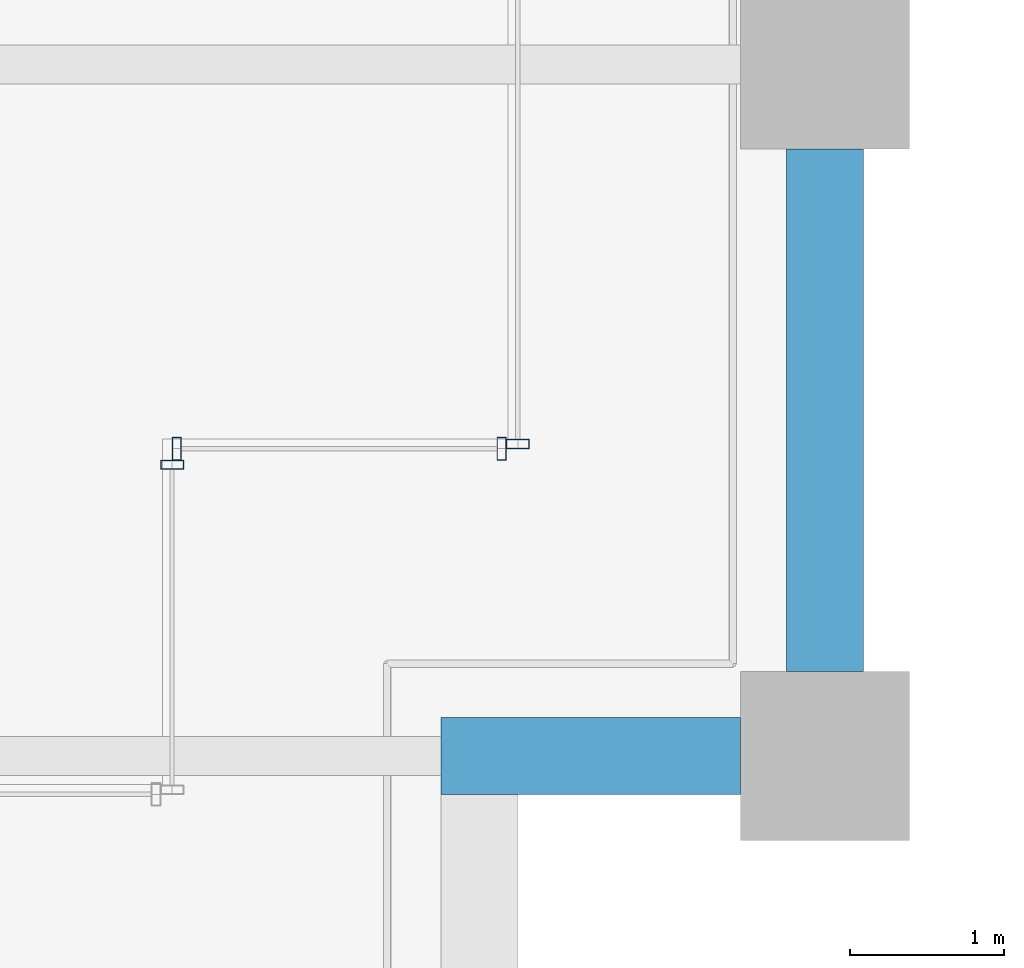
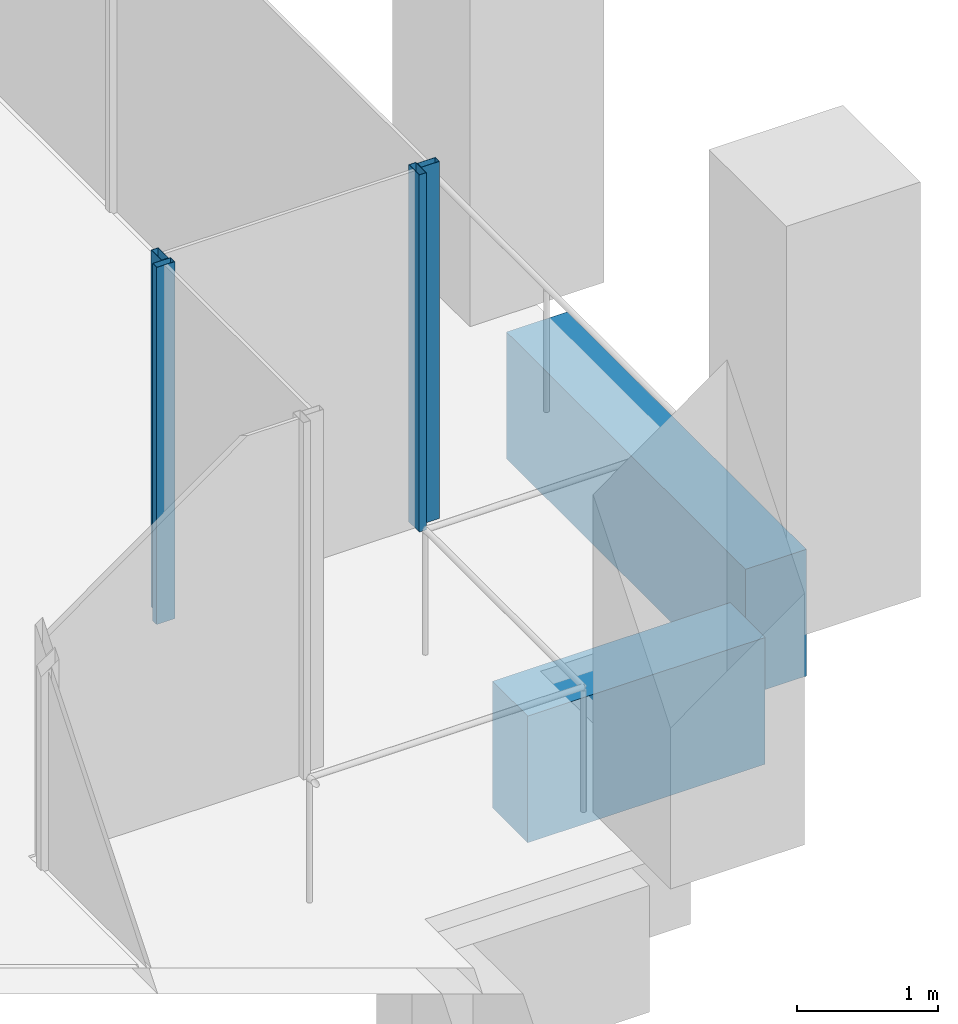
# One storey, part 16 of 54: 4 members, 2 beams, 3 elements without a shape of their own.
"""IFC4 building model written with IfcOpenShell, lengths in metres."""

from ifc_helpers import new_model, si_unit, direction, frame, origin, origin_2d, place, context, subcontext, project, spatial, rectangle, hollow_rectangle, extrude, material, material_profile, profile_set, type_object, element, aggregate, save


model = new_model("IFC4")

# Units and contexts
model_context = context("Model", 3, precision=1e-05, world=origin(), true_north=direction((0.0, 1.0)))
body_context = subcontext(model_context, "Body", "Model", "MODEL_VIEW")
ifc_project = project(units=[si_unit("LENGTHUNIT", "METRE"), si_unit("AREAUNIT", "SQUARE_METRE"), si_unit("VOLUMEUNIT", "CUBIC_METRE"), si_unit("PLANEANGLEUNIT", "RADIAN"), si_unit("MASSUNIT", "GRAM", prefix="KILO")], contexts=[model_context])

# Site, building, storey
site_placement = place(None, origin())
site = spatial("IfcSite", under=ifc_project, at=site_placement, CompositionType="ELEMENT")
building_placement = place(site_placement, origin())
building = spatial("IfcBuilding", under=site, at=building_placement, Name="Altepetl Exchange Towers", CompositionType="ELEMENT")
storey_placement = place(building_placement, frame((0.0, 0.0, 61.800048828125)))
storey = spatial("IfcBuildingStorey", under=building, at=storey_placement, Name="L14", CompositionType="ELEMENT", Elevation=61.800048828125)

# Curtain wall, member
ifc_material_1 = material(Name="Aluminium 6063-T6 glazing", Category="aluminium")
curtain_wall_type = type_object("IfcCurtainWallType", Name="Loggia glazing system", PredefinedType="NOTDEFINED", material=ifc_material_1)
curtain_wall_1_placement = place(storey_placement, origin())
curtain_wall_1 = element("IfcCurtainWall", 1, at=curtain_wall_1_placement, inside=storey, type_object=curtain_wall_type, Name="CW1 run", PredefinedType="NOTDEFINED")
ifc_material_2 = material(Name="Aluminium 6063-T6", Category="aluminium")
ifc_material_profile_1 = material_profile(ifc_material_2, hollow_rectangle(XDim=0.06005859375, YDim=0.14990234375, WallThickness=0.0029296875, at=origin_2d()), Name="Mullion 60x150 aluminium")
ifc_profile_set_1 = profile_set([ifc_material_profile_1], Name="Aluminium 6063-T6")
member_type = type_object("IfcMemberType", Name="Mullion 60x150 aluminium", PredefinedType="MULLION", material=ifc_profile_set_1)
member_1_placement = place(storey_placement, frame((67.75, 33.39501953125, 0.0), z_axis=(0.0, 0.0, 1.0), x_axis=(0.0, 1.0, 0.0)))
member_1 = element("IfcMember", 2, at=member_1_placement, type_object=member_type, Name="MU1 mullion", PredefinedType="MULLION", context=body_context, shape_type="SweptSolid", body=[
    extrude(hollow_rectangle(XDim=0.06005859375, YDim=0.14990234375, WallThickness=0.0029296875, at=origin_2d()), origin(), (0.0, 0.0, 1.0), 3.099853515625),
])
aggregate(curtain_wall_1, [member_1])

# Curtain wall, members
curtain_wall_2_placement = place(storey_placement, origin())
curtain_wall_2 = element("IfcCurtainWall", 3, at=curtain_wall_2_placement, inside=storey, type_object=curtain_wall_type, Name="CW1 run", PredefinedType="NOTDEFINED")
member_2_placement = place(storey_placement, frame((67.780029296875, 33.5, 0.0)))
member_2 = element("IfcMember", 4, at=member_2_placement, type_object=member_type, Name="MU1 mullion", PredefinedType="MULLION", context=body_context, shape_type="SweptSolid", body=[
    extrude(hollow_rectangle(XDim=0.06005859375, YDim=0.14990234375, WallThickness=0.0029296875, at=origin_2d()), origin(), (0.0, 0.0, 1.0), 3.099853515625),
])
member_3_placement = place(storey_placement, frame((69.89501953125, 33.5, 0.0)))
member_3 = element("IfcMember", 5, at=member_3_placement, type_object=member_type, Name="MU1 mullion", PredefinedType="MULLION", context=body_context, shape_type="SweptSolid", body=[
    extrude(hollow_rectangle(XDim=0.06005859375, YDim=0.14990234375, WallThickness=0.0029296875, at=origin_2d()), origin(), (0.0, 0.0, 1.0), 3.099853515625),
])
aggregate(curtain_wall_2, [member_2, member_3])

# Curtain wall, member
curtain_wall_3_placement = place(storey_placement, origin())
curtain_wall_3 = element("IfcCurtainWall", 6, at=curtain_wall_3_placement, inside=storey, type_object=curtain_wall_type, Name="CW1 run", PredefinedType="NOTDEFINED")
member_4_placement = place(storey_placement, frame((70.0, 33.530029296875, 0.0), z_axis=(0.0, 0.0, 1.0), x_axis=(0.0, 1.0, 0.0)))
member_4 = element("IfcMember", 7, at=member_4_placement, type_object=member_type, Name="MU1 mullion", PredefinedType="MULLION", context=body_context, shape_type="SweptSolid", body=[
    extrude(hollow_rectangle(XDim=0.06005859375, YDim=0.14990234375, WallThickness=0.0029296875, at=origin_2d()), origin(), (0.0, 0.0, 1.0), 3.099853515625),
])
aggregate(curtain_wall_3, [member_4])

# Beams
ifc_material_3 = material(Name="Concrete C50/60 precast with cantera amarilla facing", Category="concrete")
ifc_material_profile_2 = material_profile(ifc_material_3, rectangle(XDim=0.5, YDim=1.10009765625, at=origin_2d()), Name="500 x 1100")
ifc_profile_set_2 = profile_set([ifc_material_profile_2], Name="Concrete C50/60 precast with cantera amarilla facing")
beam_type = type_object("IfcBeamType", Name="Spandrel beam 500x1100 cantera amarilla", PredefinedType="SPANDREL", material=ifc_profile_set_2)
beam_1_placement = place(storey_placement, frame((69.5, 31.5, -0.699951171875), z_axis=(1.0, 0.0, 0.0), x_axis=(0.0, 1.0, 0.0)))
element("IfcBeam", 8, at=beam_1_placement, inside=storey, type_object=beam_type, Name="sp:A:L14:011", PredefinedType="SPANDREL", context=body_context, shape_type="SweptSolid", body=[
    extrude(rectangle(XDim=0.5, YDim=1.10009765625, at=origin_2d()), origin(), (0.0, 0.0, 1.0), 1.949951171875),
])
beam_2_placement = place(storey_placement, frame((72.0, 32.050048828125, -0.699951171875), z_axis=(0.0, 1.0, 0.0), x_axis=(-1.0, 0.0, 0.0)))
element("IfcBeam", 9, at=beam_2_placement, inside=storey, type_object=beam_type, Name="sp:A:L14:012", PredefinedType="SPANDREL", context=body_context, shape_type="SweptSolid", body=[
    extrude(rectangle(XDim=0.5, YDim=1.10009765625, at=origin_2d()), origin(), (0.0, 0.0, 1.0), 3.39990234375),
])

save(model, "model.ifc")
